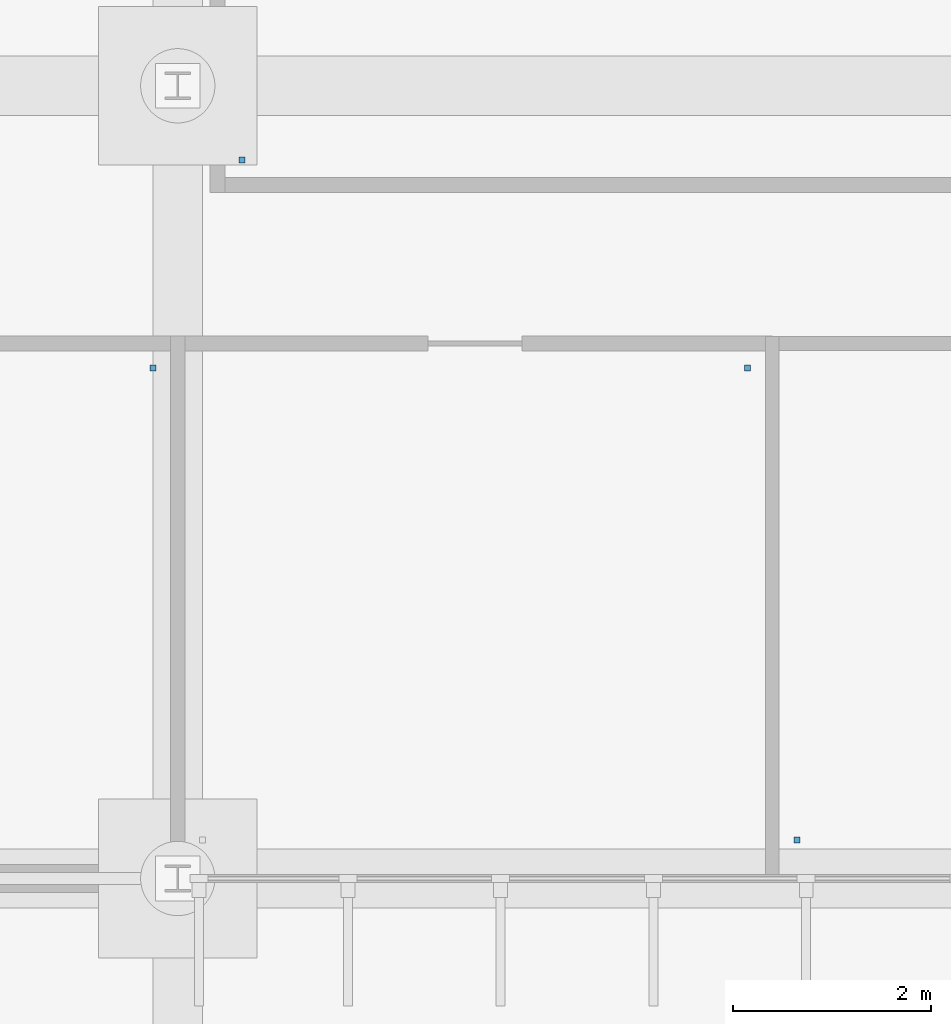
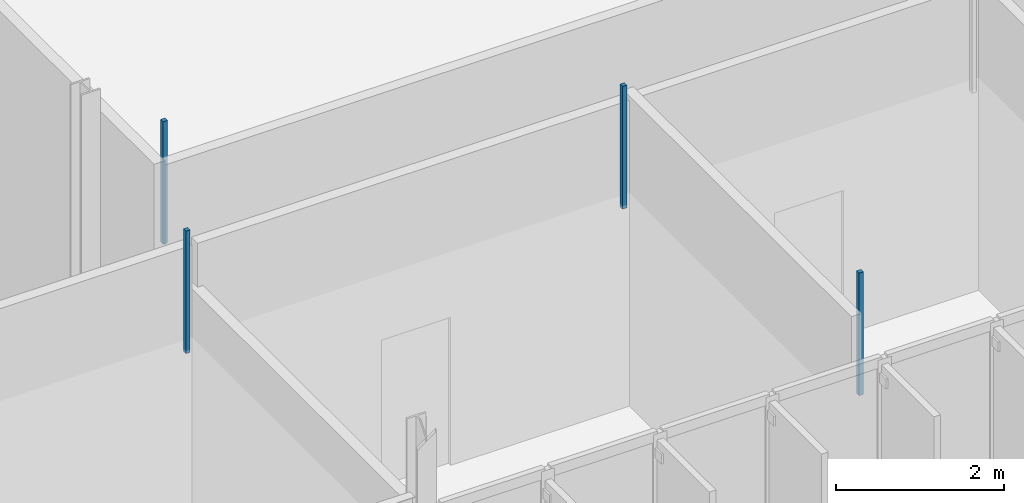
# One storey, part 90 of 111: 4 discrete accessories.
"""IFC4 building model written with IfcOpenShell, lengths in metres."""

from ifc_helpers import new_model, si_unit, direction, frame, origin, place, context, subcontext, project, spatial, polyline, outline, extrude, material, type_object, element, save


model = new_model("IFC4")

# Units and contexts
model_context = context("Model", 3, precision=1e-05, world=origin(), true_north=direction((0.0, 1.0)))
body_context = subcontext(model_context, "Body", "Model", "MODEL_VIEW")
ifc_project = project(units=[si_unit("LENGTHUNIT", "METRE"), si_unit("AREAUNIT", "SQUARE_METRE"), si_unit("VOLUMEUNIT", "CUBIC_METRE"), si_unit("PLANEANGLEUNIT", "RADIAN"), si_unit("MASSUNIT", "GRAM", prefix="KILO")], contexts=[model_context])

# Site, building, storey
site_placement = place(None, origin())
site = spatial("IfcSite", under=ifc_project, at=site_placement, CompositionType="ELEMENT")
building_placement = place(site_placement, origin())
building = spatial("IfcBuilding", under=site, at=building_placement, Name="Dunescarp Central Library", CompositionType="ELEMENT")
storey_placement = place(building_placement, origin())
storey = spatial("IfcBuildingStorey", under=building, at=storey_placement, Name="L00", CompositionType="ELEMENT", Elevation=0.0)

# Discrete accessories
ifc_material = material(Name="Stainless steel Grade 316L", Category="steel")
discrete_accessory_type = type_object("IfcDiscreteAccessoryType", Name="ARC-ACC-BRK", PredefinedType="BRACKET", material=ifc_material)
discrete_accessory_1_placement = place(storey_placement, frame((0.0, 0.0, 3.06005859375)))
element("IfcDiscreteAccessory", 1, at=discrete_accessory_1_placement, inside=storey, type_object=discrete_accessory_type, Name="L00 ceiling hanger CLG-L00-138-H1", PredefinedType="BRACKET", context=body_context, shape_type="SweptSolid", body=[
    extrude(outline(polyline([(155.02001953125, 5.159912109375), (155.080078125, 5.159912109375), (155.080078125, 5.219970703125), (155.02001953125, 5.219970703125), (155.02001953125, 5.159912109375)])), origin(), (0.0, 0.0, 1.0), 1.780029296875),
])
discrete_accessory_2_placement = place(storey_placement, frame((0.0, 0.0, 3.06005859375)))
element("IfcDiscreteAccessory", 2, at=discrete_accessory_2_placement, inside=storey, type_object=discrete_accessory_type, Name="L00 ceiling hanger CLG-L00-139-H2", PredefinedType="BRACKET", context=body_context, shape_type="SweptSolid", body=[
    extrude(outline(polyline([(148.52001953125, 9.919921875), (148.580078125, 9.919921875), (148.580078125, 9.97998046875), (148.52001953125, 9.97998046875), (148.52001953125, 9.919921875)])), origin(), (0.0, 0.0, 1.0), 1.780029296875),
])
discrete_accessory_3_placement = place(storey_placement, frame((0.0, 0.0, 3.06005859375)))
element("IfcDiscreteAccessory", 3, at=discrete_accessory_3_placement, inside=storey, type_object=discrete_accessory_type, Name="L00 ceiling hanger CLG-L00-140-H2", PredefinedType="BRACKET", context=body_context, shape_type="SweptSolid", body=[
    extrude(outline(polyline([(154.52001953125, 9.919921875), (154.580078125, 9.919921875), (154.580078125, 9.97998046875), (154.52001953125, 9.97998046875), (154.52001953125, 9.919921875)])), origin(), (0.0, 0.0, 1.0), 1.780029296875),
])
discrete_accessory_4_placement = place(storey_placement, frame((0.0, 0.0, 3.06005859375)))
element("IfcDiscreteAccessory", 4, at=discrete_accessory_4_placement, inside=storey, type_object=discrete_accessory_type, Name="L00 ceiling hanger CLG-L00-143-H1", PredefinedType="BRACKET", context=body_context, shape_type="SweptSolid", body=[
    extrude(outline(polyline([(149.419921875, 12.02001953125), (149.47998046875, 12.02001953125), (149.47998046875, 12.080078125), (149.419921875, 12.080078125), (149.419921875, 12.02001953125)])), origin(), (0.0, 0.0, 1.0), 1.780029296875),
])

save(model, "model.ifc")
